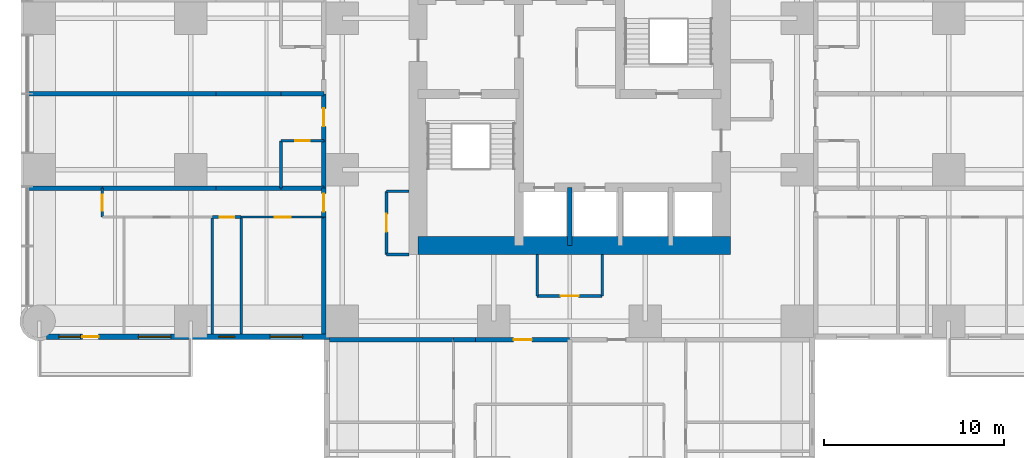
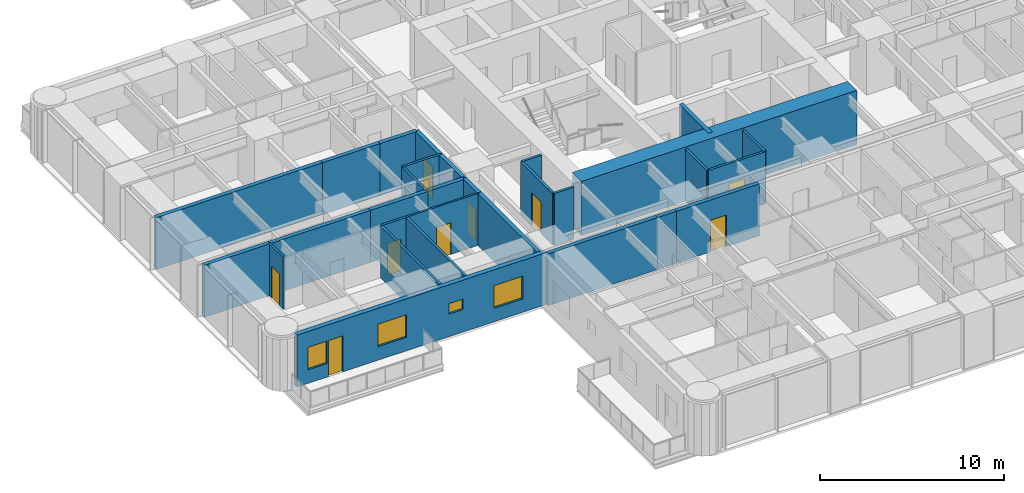
# One storey, part 8 of 17: 30 walls, 10 doors, 4 windows, 14 openings.
"""IFC4 building model written with IfcOpenShell, lengths in metres."""

from ifc_helpers import new_model, si_unit, direction, frame, frame_2d, origin, place, context, subcontext, project, spatial, rectangle, extrude, material, layer, layer_set, type_object, element, fill, save


model = new_model("IFC4")

# Units and contexts
model_context = context("Model", 3, precision=1e-05, world=origin(), true_north=direction((0.0, 1.0)))
body_context = subcontext(model_context, "Body", "Model", "MODEL_VIEW")
ifc_project = project(units=[si_unit("LENGTHUNIT", "METRE"), si_unit("AREAUNIT", "SQUARE_METRE"), si_unit("VOLUMEUNIT", "CUBIC_METRE"), si_unit("PLANEANGLEUNIT", "RADIAN"), si_unit("MASSUNIT", "GRAM", prefix="KILO")], contexts=[model_context])

# Site, building, storey
site_placement = place(None, origin())
site = spatial("IfcSite", under=ifc_project, at=site_placement, CompositionType="ELEMENT")
building_placement = place(site_placement, origin())
building = spatial("IfcBuilding", under=site, at=building_placement, Name="Torre Alcanfor", CompositionType="ELEMENT")
storey_placement = place(building_placement, frame((0.0, 0.0, 84.89990234375)))
storey = spatial("IfcBuildingStorey", under=building, at=storey_placement, Name="L21", CompositionType="ELEMENT", Elevation=84.89990234375)

# Wall, opening, door
ifc_material_1 = material(Name="Concrete block masonry, hollow blocks NMX-C-404 9 MPa", Category="masonry")
ifc_layer_1 = layer(ifc_material_1, 0.25)
ifc_layer_set_1 = layer_set([ifc_layer_1], Name="Apartment entrance wall 250 EI 60")
wall_type_1 = type_object("IfcWallType", Name="Apartment entrance wall 250 EI 60", PredefinedType="PARTITIONING", material=ifc_layer_set_1)
wall_1_placement = place(storey_placement, frame((29.39990234375, 15.77490234375, 0.0), z_axis=(0.0, 0.0, 1.0), x_axis=(-1.0, 0.0, 0.0)))
wall_1 = element("IfcWall", 1, at=wall_1_placement, inside=storey, type_object=wall_type_1, Name="Partition L21-CORR / L21-S2-ZAG", PredefinedType="PARTITIONING", context=body_context, shape_type="SweptSolid", body=[
    extrude(rectangle(XDim=5.22900390625, YDim=0.25, at=frame_2d((2.614501953125, 0.0))), origin(), (0.0, 0.0, 1.0), 3.4501953125),
])
opening_1_placement = place(wall_1_placement, frame((2.10009765625, 0.0, 0.0)))
opening_1 = element("IfcOpeningElement", 2, at=opening_1_placement, cuts=wall_1, Name="Opening D-A1", PredefinedType="OPENING", context=body_context, shape_type="SweptSolid", body=[
    extrude(rectangle(XDim=1.0, YDim=2.10009765625, at=frame_2d((0.5, 1.050048828125))), frame((0.0, 0.135009765625, 0.0), z_axis=(0.0, -1.0, 0.0), x_axis=(1.0, 0.0, 0.0)), (0.0, 0.0, 1.0), 0.27001953125),
])
ifc_material_2 = material(Name="Galvanised steel sheet ASTM A653", Category="steel")
door_type_1 = type_object("IfcDoorType", Name="Apartment entrance door FD60 1000x2100", OperationType="SINGLE_SWING_LEFT", PredefinedType="DOOR", material=ifc_material_2)
door_1_placement = place(opening_1_placement, origin())
door_1 = element("IfcDoor", 3, at=door_1_placement, inside=storey, type_object=door_type_1, Name="Apartment entrance L21-S2", OperationType="SINGLE_SWING_LEFT", OverallHeight=2.10009765625, OverallWidth=1.0, PredefinedType="DOOR", context=body_context, shape_type="SweptSolid", body=[
    extrude(rectangle(XDim=1.0, YDim=2.10009765625, at=frame_2d((0.5, 1.050048828125))), frame((0.0, 0.02490234375, 0.0), z_axis=(0.0, -1.0, 0.0), x_axis=(1.0, 0.0, 0.0)), (0.0, 0.0, 1.0), 0.050048828125),
])
fill(opening_1, door_1)

# Walls
wall_2_placement = place(storey_placement, frame((24.1708984375, 15.77490234375, 0.0), z_axis=(0.0, 0.0, 1.0), x_axis=(-1.0, 0.0, 0.0)))
element("IfcWall", 4, at=wall_2_placement, inside=storey, type_object=wall_type_1, Name="Partition L21-CORR / L21-S2-HALL", PredefinedType="PARTITIONING", context=body_context, shape_type="SweptSolid", body=[
    extrude(rectangle(XDim=1.199951171875, YDim=0.25, at=frame_2d((0.60009765625, 0.0))), origin(), (0.0, 0.0, 1.0), 3.4501953125),
])
wall_3_placement = place(storey_placement, frame((22.970947265625, 15.77490234375, 0.0), z_axis=(0.0, 0.0, 1.0), x_axis=(-1.0, 0.0, 0.0)))
element("IfcWall", 5, at=wall_3_placement, inside=storey, type_object=wall_type_1, Name="Partition L21-CORR / L21-S2-BED2", PredefinedType="PARTITIONING", context=body_context, shape_type="SweptSolid", body=[
    extrude(rectangle(XDim=6.870849609375, YDim=0.25, at=frame_2d((3.435546875, 0.0))), origin(), (0.0, 0.0, 1.0), 3.4501953125),
])

# Wall, opening, door
wall_4_placement = place(storey_placement, frame((15.77490234375, 26.800048828125, 0.0), z_axis=(0.0, 0.0, 1.0), x_axis=(0.0, 1.0, 0.0)))
wall_4 = element("IfcWall", 6, at=wall_4_placement, inside=storey, type_object=wall_type_1, Name="Partition L21-CORR / L21-W1A-FOYER", PredefinedType="PARTITIONING", context=body_context, shape_type="SweptSolid", body=[
    extrude(rectangle(XDim=2.599853515625, YDim=0.25, at=frame_2d((1.2998046875, 0.0))), origin(), (0.0, 0.0, 1.0), 3.4501953125),
])
opening_2_placement = place(wall_4_placement, frame((0.800048828125, 0.0, 0.0)))
opening_2 = element("IfcOpeningElement", 7, at=opening_2_placement, cuts=wall_4, Name="Opening D-A1", PredefinedType="OPENING", context=body_context, shape_type="SweptSolid", body=[
    extrude(rectangle(XDim=1.0, YDim=2.10009765625, at=frame_2d((0.5, 1.050048828125))), frame((0.0, 0.135009765625, 0.0), z_axis=(0.0, -1.0, 0.0), x_axis=(1.0, 0.0, 0.0)), (0.0, 0.0, 1.0), 0.27001953125),
])
door_2_placement = place(opening_2_placement, origin())
door_2 = element("IfcDoor", 8, at=door_2_placement, inside=storey, type_object=door_type_1, Name="Apartment entrance L21-W1A", OperationType="SINGLE_SWING_LEFT", OverallHeight=2.10009765625, OverallWidth=1.0, PredefinedType="DOOR", context=body_context, shape_type="SweptSolid", body=[
    extrude(rectangle(XDim=1.0, YDim=2.10009765625, at=frame_2d((0.5, 1.050048828125))), frame((0.0, 0.02490234375, 0.0), z_axis=(0.0, -1.0, 0.0), x_axis=(1.0, 0.0, 0.0)), (0.0, 0.0, 1.0), 0.050048828125),
])
fill(opening_2, door_2)

# Wall
wall_5_placement = place(storey_placement, frame((15.77490234375, 24.1708984375, 0.0), z_axis=(0.0, 0.0, 1.0), x_axis=(0.0, 1.0, 0.0)))
element("IfcWall", 9, at=wall_5_placement, inside=storey, type_object=wall_type_1, Name="Partition L21-CORR / L21-W1A-BATH", PredefinedType="PARTITIONING", context=body_context, shape_type="SweptSolid", body=[
    extrude(rectangle(XDim=2.629150390625, YDim=0.25, at=frame_2d((1.314453125, 0.0))), origin(), (0.0, 0.0, 1.0), 3.4501953125),
])

# Wall, opening, door
wall_6_placement = place(storey_placement, frame((15.77490234375, 22.571044921875, 0.0), z_axis=(0.0, 0.0, 1.0), x_axis=(0.0, 1.0, 0.0)))
wall_6 = element("IfcWall", 10, at=wall_6_placement, inside=storey, type_object=wall_type_1, Name="Partition L21-CORR / L21-W1B-HALL", PredefinedType="PARTITIONING", context=body_context, shape_type="SweptSolid", body=[
    extrude(rectangle(XDim=1.599853515625, YDim=0.25, at=frame_2d((0.7998046875, 0.0))), origin(), (0.0, 0.0, 1.0), 3.4501953125),
])
opening_3_placement = place(wall_6_placement, frame((0.300048828125, 0.0, 0.0)))
opening_3 = element("IfcOpeningElement", 11, at=opening_3_placement, cuts=wall_6, Name="Opening D-A1", PredefinedType="OPENING", context=body_context, shape_type="SweptSolid", body=[
    extrude(rectangle(XDim=1.0, YDim=2.10009765625, at=frame_2d((0.5, 1.050048828125))), frame((0.0, 0.135009765625, 0.0), z_axis=(0.0, -1.0, 0.0), x_axis=(1.0, 0.0, 0.0)), (0.0, 0.0, 1.0), 0.27001953125),
])
door_3_placement = place(opening_3_placement, origin())
door_3 = element("IfcDoor", 12, at=door_3_placement, inside=storey, type_object=door_type_1, Name="Apartment entrance L21-W1B", OperationType="SINGLE_SWING_LEFT", OverallHeight=2.10009765625, OverallWidth=1.0, PredefinedType="DOOR", context=body_context, shape_type="SweptSolid", body=[
    extrude(rectangle(XDim=1.0, YDim=2.10009765625, at=frame_2d((0.5, 1.050048828125))), frame((0.0, 0.02490234375, 0.0), z_axis=(0.0, -1.0, 0.0), x_axis=(1.0, 0.0, 0.0)), (0.0, 0.0, 1.0), 0.050048828125),
])
fill(opening_3, door_3)

# Wall
wall_7_placement = place(storey_placement, frame((15.77490234375, 16.10009765625, 0.0), z_axis=(0.0, 0.0, 1.0), x_axis=(0.0, 1.0, 0.0)))
element("IfcWall", 13, at=wall_7_placement, inside=storey, type_object=wall_type_1, Name="Partition L21-CORR / L21-W1B-BED2", PredefinedType="PARTITIONING", context=body_context, shape_type="SweptSolid", body=[
    extrude(rectangle(XDim=6.470947265625, YDim=0.25, at=frame_2d((3.2353515625, 0.0))), origin(), (0.0, 0.0, 1.0), 3.4501953125),
])

# Wall, opening, door
ifc_material_3 = material(Name="Gypsum board on steel studs", Category="steel")
ifc_layer_2 = layer(ifc_material_3, 0.1201171875)
ifc_layer_set_2 = layer_set([ifc_layer_2], Name="Apartment partition 120")
wall_type_2 = type_object("IfcWallType", Name="Apartment partition 120", PredefinedType="PARTITIONING", material=ifc_layer_set_2)
wall_8_placement = place(storey_placement, frame((11.199951171875, 22.571044921875, 0.0), z_axis=(0.0, 0.0, 1.0), x_axis=(1.0, 0.0, 0.0)))
wall_8 = element("IfcWall", 14, at=wall_8_placement, inside=storey, type_object=wall_type_2, Name="Partition L21-W1B-HALL / L21-W1B-BED2", PredefinedType="PARTITIONING", context=body_context, shape_type="SweptSolid", body=[
    extrude(rectangle(XDim=4.574951171875, YDim=0.1201171875, at=frame_2d((2.28759765625, 0.0))), origin(), (0.0, 0.0, 1.0), 3.4501953125),
])
opening_4_placement = place(wall_8_placement, frame((1.85009765625, 0.0, 0.0)))
opening_4 = element("IfcOpeningElement", 15, at=opening_4_placement, cuts=wall_8, Name="Opening D-R1", PredefinedType="OPENING", context=body_context, shape_type="SweptSolid", body=[
    extrude(rectangle(XDim=0.89990234375, YDim=2.10009765625, at=frame_2d((0.449951171875, 1.050048828125))), frame((0.0, 0.070068359375, 0.0), z_axis=(0.0, -1.0, 0.0), x_axis=(1.0, 0.0, 0.0)), (0.0, 0.0, 1.0), 0.14013671875),
])
ifc_material_4 = material(Name="Timber", Category="wood")
door_type_2 = type_object("IfcDoorType", Name="Internal door 900x2100", OperationType="SINGLE_SWING_LEFT", PredefinedType="DOOR", material=ifc_material_4)
door_4_placement = place(opening_4_placement, frame((0.89990234375, 0.0, 0.0), z_axis=(0.0, 0.0, 1.0), x_axis=(-1.0, 0.0, 0.0)))
door_4 = element("IfcDoor", 16, at=door_4_placement, inside=storey, type_object=door_type_2, Name="Door L21-W1B bed2", OperationType="SINGLE_SWING_LEFT", OverallHeight=2.10009765625, OverallWidth=0.89990234375, PredefinedType="DOOR", context=body_context, shape_type="SweptSolid", body=[
    extrude(rectangle(XDim=0.89990234375, YDim=2.10009765625, at=frame_2d((0.449951171875, 1.050048828125))), frame((0.0, 0.025146484375, 0.0), z_axis=(0.0, -1.0, 0.0), x_axis=(1.0, 0.0, 0.0)), (0.0, 0.0, 1.0), 0.050048828125),
])
fill(opening_4, door_4)

wall_9_placement = place(storey_placement, frame((3.5, 24.1708984375, 0.0), z_axis=(0.0, 0.0, 1.0), x_axis=(0.0, -1.0, 0.0)))
wall_9 = element("IfcWall", 17, at=wall_9_placement, inside=storey, type_object=wall_type_2, Name="Partition L21-W1B-HALL / L21-W1B-LIVING", PredefinedType="PARTITIONING", context=body_context, shape_type="SweptSolid", body=[
    extrude(rectangle(XDim=1.599853515625, YDim=0.1201171875, at=frame_2d((0.7998046875, 0.0))), origin(), (0.0, 0.0, 1.0), 3.4501953125),
])
opening_5_placement = place(wall_9_placement, frame((0.35009765625, 0.0, 0.0)))
opening_5 = element("IfcOpeningElement", 18, at=opening_5_placement, cuts=wall_9, Name="Opening D-R1", PredefinedType="OPENING", context=body_context, shape_type="SweptSolid", body=[
    extrude(rectangle(XDim=0.89990234375, YDim=2.10009765625, at=frame_2d((0.449951171875, 1.050048828125))), frame((0.0, 0.070068359375, 0.0), z_axis=(0.0, -1.0, 0.0), x_axis=(1.0, 0.0, 0.0)), (0.0, 0.0, 1.0), 0.14013671875),
])
door_5_placement = place(opening_5_placement, frame((0.89990234375, 0.0, 0.0), z_axis=(0.0, 0.0, 1.0), x_axis=(-1.0, 0.0, 0.0)))
door_5 = element("IfcDoor", 19, at=door_5_placement, inside=storey, type_object=door_type_2, Name="Door L21-W1B living", OperationType="SINGLE_SWING_RIGHT", OverallHeight=2.10009765625, OverallWidth=0.89990234375, PredefinedType="DOOR", context=body_context, shape_type="SweptSolid", body=[
    extrude(rectangle(XDim=0.89990234375, YDim=2.10009765625, at=frame_2d((0.449951171875, 1.050048828125))), frame((0.0, 0.025146484375, 0.0), z_axis=(0.0, -1.0, 0.0), x_axis=(1.0, 0.0, 0.0)), (0.0, 0.0, 1.0), 0.050048828125),
])
fill(opening_5, door_5)

# Walls
ifc_material_5 = material(Name="Concrete f'c 70 MPa", Category="concrete")
ifc_layer_3 = layer(ifc_material_5, 0.25)
ifc_layer_set_3 = layer_set([ifc_layer_3], Name="Core shaft wall 250 f'c70")
wall_type_3 = type_object("IfcWallType", Name="Core shaft wall 250 f'c70", PredefinedType="SHEAR", material=ifc_layer_set_3)
wall_10_placement = place(storey_placement, frame((29.39990234375, 21.0, 0.0), z_axis=(0.0, 0.0, 1.0), x_axis=(0.0, 1.0, 0.0)))
element("IfcWall", 20, at=wall_10_placement, inside=storey, type_object=wall_type_3, Name="Core wall X294S L21", PredefinedType="SHEAR", context=body_context, shape_type="SweptSolid", body=[
    extrude(rectangle(XDim=3.199951171875, YDim=0.25, at=frame_2d((1.60009765625, 0.0))), origin(), (0.0, 0.0, 1.0), 3.60009765625),
])
ifc_material_6 = material(Name="Concrete f'c 70 MPa", Category="concrete")
ifc_layer_4 = layer(ifc_material_6, 1.0)
ifc_layer_set_4 = layer_set([ifc_layer_4], Name="Core wall 1000 f'c70")
wall_type_4 = type_object("IfcWallType", Name="Core wall 1000 f'c70", PredefinedType="SHEAR", material=ifc_layer_set_4)
wall_11_placement = place(storey_placement, frame((21.0, 21.0, 0.0), z_axis=(0.0, 0.0, 1.0), x_axis=(1.0, 0.0, 0.0)))
element("IfcWall", 21, at=wall_11_placement, inside=storey, type_object=wall_type_4, Name="Core wall OUT-S L21", PredefinedType="SHEAR", context=body_context, shape_type="SweptSolid", body=[
    extrude(rectangle(XDim=17.300048828125, YDim=1.0, at=frame_2d((8.64990234375, 0.0))), origin(), (0.0, 0.0, 1.0), 3.60009765625),
])

# Wall, openings, door, windows
ifc_material_7 = material(Name="Limestone cladding", Category="masonry")
ifc_layer_5 = layer(ifc_material_7, 0.0400390625, Name="Facing")
ifc_material_8 = material(Name="Ventilated air cavity")
ifc_layer_6 = layer(ifc_material_8, 0.02001953125, ventilated=True, Name="Ventilated joint")
ifc_material_9 = material(Name="Mineral wool insulation", Category="insulation")
ifc_layer_7 = layer(ifc_material_9, 0.10009765625, Name="Insulation")
ifc_material_10 = material(Name="Concrete f'c 35 MPa", Category="concrete")
ifc_layer_8 = layer(ifc_material_10, 0.139892578125, Name="Backing")
ifc_layer_set_5 = layer_set([ifc_layer_5, ifc_layer_6, ifc_layer_7, ifc_layer_8], Name="External wall stone-clad 300")
wall_type_5 = type_object("IfcWallType", Name="External wall stone-clad 300", PredefinedType="SOLIDWALL", material=ifc_layer_set_5)
wall_12_placement = place(storey_placement, frame((0.39990234375, 15.949951171875, 0.0), z_axis=(0.0, 0.0, 1.0), x_axis=(1.0, 0.0, 0.0)))
wall_12 = element("IfcWall", 22, at=wall_12_placement, inside=storey, type_object=wall_type_5, Name="External wall L21 3", PredefinedType="SOLIDWALL", context=body_context, shape_type="SweptSolid", body=[
    extrude(rectangle(XDim=15.7001953125, YDim=0.300048828125, at=frame_2d((7.85009765625, 0.0))), origin(), (0.0, 0.0, 1.0), 3.4501953125),
])
opening_6_placement = place(wall_12_placement, frame((12.39990234375, 0.0, 0.89990234375)))
opening_6 = element("IfcOpeningElement", 23, at=opening_6_placement, cuts=wall_12, Name="Opening W2", PredefinedType="OPENING", context=body_context, shape_type="SweptSolid", body=[
    extrude(rectangle(XDim=1.800048828125, YDim=1.5, at=frame_2d((0.89990234375, 0.75))), frame((0.0, 0.159912109375, 0.0), z_axis=(0.0, -1.0, 0.0), x_axis=(1.0, 0.0, 0.0)), (0.0, 0.0, 1.0), 0.320068359375),
])
opening_7_placement = place(wall_12_placement, frame((9.550048828125, 0.0, 1.5)))
opening_7 = element("IfcOpeningElement", 24, at=opening_7_placement, cuts=wall_12, Name="Opening W3", PredefinedType="OPENING", context=body_context, shape_type="SweptSolid", body=[
    extrude(rectangle(XDim=0.89990234375, YDim=0.699951171875, at=frame_2d((0.449951171875, 0.35009765625))), frame((0.0, 0.159912109375, 0.0), z_axis=(0.0, -1.0, 0.0), x_axis=(1.0, 0.0, 0.0)), (0.0, 0.0, 1.0), 0.320068359375),
])
opening_8_placement = place(wall_12_placement, frame((5.10009765625, 0.0, 0.89990234375)))
opening_8 = element("IfcOpeningElement", 25, at=opening_8_placement, cuts=wall_12, Name="Opening W2", PredefinedType="OPENING", context=body_context, shape_type="SweptSolid", body=[
    extrude(rectangle(XDim=1.800048828125, YDim=1.5, at=frame_2d((0.89990234375, 0.75))), frame((0.0, 0.159912109375, 0.0), z_axis=(0.0, -1.0, 0.0), x_axis=(1.0, 0.0, 0.0)), (0.0, 0.0, 1.0), 0.320068359375),
])
opening_9_placement = place(wall_12_placement, frame((2.0, 0.0, 0.0)))
opening_9 = element("IfcOpeningElement", 26, at=opening_9_placement, cuts=wall_12, Name="Opening D-B1", PredefinedType="OPENING", context=body_context, shape_type="SweptSolid", body=[
    extrude(rectangle(XDim=0.89990234375, YDim=2.39990234375, at=frame_2d((0.449951171875, 1.199951171875))), frame((0.0, 0.159912109375, 0.0), z_axis=(0.0, -1.0, 0.0), x_axis=(1.0, 0.0, 0.0)), (0.0, 0.0, 1.0), 0.320068359375),
])
opening_10_placement = place(wall_12_placement, frame((0.699951171875, 0.0, 0.89990234375)))
opening_10 = element("IfcOpeningElement", 27, at=opening_10_placement, cuts=wall_12, Name="Opening W4", PredefinedType="OPENING", context=body_context, shape_type="SweptSolid", body=[
    extrude(rectangle(XDim=1.199951171875, YDim=1.5, at=frame_2d((0.60009765625, 0.75))), frame((0.0, 0.159912109375, 0.0), z_axis=(0.0, -1.0, 0.0), x_axis=(1.0, 0.0, 0.0)), (0.0, 0.0, 1.0), 0.320068359375),
])
ifc_material_11 = material(Name="Aluminium and glass", Category="aluminium")
door_type_3 = type_object("IfcDoorType", Name="Balcony door glazed 900x2400", OperationType="SINGLE_SWING_LEFT", PredefinedType="DOOR", material=ifc_material_11)
door_6_placement = place(opening_9_placement, origin())
door_6 = element("IfcDoor", 28, at=door_6_placement, inside=storey, type_object=door_type_3, Name="Balcony door L21-W1", OperationType="SINGLE_SWING_RIGHT", OverallHeight=2.39990234375, OverallWidth=0.89990234375, PredefinedType="DOOR", context=body_context, shape_type="SweptSolid", body=[
    extrude(rectangle(XDim=0.89990234375, YDim=2.39990234375, at=frame_2d((0.449951171875, 1.199951171875))), frame((0.0, 0.02490234375, 0.0), z_axis=(0.0, -1.0, 0.0), x_axis=(1.0, 0.0, 0.0)), (0.0, 0.0, 1.0), 0.050048828125),
])
fill(opening_9, door_6)
ifc_material_12 = material(Name="Aluminium frame with clear double glazing", Category="aluminium")
window_type_1 = type_object("IfcWindowType", Name="Window bathroom 900x700", PartitioningType="SINGLE_PANEL", PredefinedType="WINDOW", material=ifc_material_12)
window_1_placement = place(opening_7_placement, origin())
window_1 = element("IfcWindow", 29, at=window_1_placement, inside=storey, type_object=window_type_1, Name="Window W3 L21-W1", OverallHeight=0.699951171875, OverallWidth=0.89990234375, PartitioningType="SINGLE_PANEL", PredefinedType="WINDOW", context=body_context, shape_type="SweptSolid", body=[
    extrude(rectangle(XDim=0.89990234375, YDim=0.699951171875, at=frame_2d((0.449951171875, 0.35009765625))), frame((0.0, 0.030029296875, 0.0), z_axis=(0.0, -1.0, 0.0), x_axis=(1.0, 0.0, 0.0)), (0.0, 0.0, 1.0), 0.06005859375),
])
fill(opening_7, window_1)
ifc_material_13 = material(Name="Aluminium frame with clear double glazing", Category="aluminium")
window_type_2 = type_object("IfcWindowType", Name="Window bedroom 1200x1500", PartitioningType="SINGLE_PANEL", PredefinedType="WINDOW", material=ifc_material_13)
window_2_placement = place(opening_10_placement, origin())
window_2 = element("IfcWindow", 30, at=window_2_placement, inside=storey, type_object=window_type_2, Name="Window W4 L21-W1", OverallHeight=1.5, OverallWidth=1.199951171875, PartitioningType="SINGLE_PANEL", PredefinedType="WINDOW", context=body_context, shape_type="SweptSolid", body=[
    extrude(rectangle(XDim=1.199951171875, YDim=1.5, at=frame_2d((0.60009765625, 0.75))), frame((0.0, 0.030029296875, 0.0), z_axis=(0.0, -1.0, 0.0), x_axis=(1.0, 0.0, 0.0)), (0.0, 0.0, 1.0), 0.06005859375),
])
fill(opening_10, window_2)
ifc_material_14 = material(Name="Aluminium frame with clear double glazing", Category="aluminium")
window_type_3 = type_object("IfcWindowType", Name="Window bedroom 1800x1500", PartitioningType="SINGLE_PANEL", PredefinedType="WINDOW", material=ifc_material_14)
window_3_placement = place(opening_6_placement, origin())
window_3 = element("IfcWindow", 31, at=window_3_placement, inside=storey, type_object=window_type_3, Name="Window W2 L21-W1", OverallHeight=1.5, OverallWidth=1.800048828125, PartitioningType="SINGLE_PANEL", PredefinedType="WINDOW", context=body_context, shape_type="SweptSolid", body=[
    extrude(rectangle(XDim=1.800048828125, YDim=1.5, at=frame_2d((0.89990234375, 0.75))), frame((0.0, 0.030029296875, 0.0), z_axis=(0.0, -1.0, 0.0), x_axis=(1.0, 0.0, 0.0)), (0.0, 0.0, 1.0), 0.06005859375),
])
fill(opening_6, window_3)
window_4_placement = place(opening_8_placement, origin())
window_4 = element("IfcWindow", 32, at=window_4_placement, inside=storey, type_object=window_type_3, Name="Window W2 L21-W1", OverallHeight=1.5, OverallWidth=1.800048828125, PartitioningType="SINGLE_PANEL", PredefinedType="WINDOW", context=body_context, shape_type="SweptSolid", body=[
    extrude(rectangle(XDim=1.800048828125, YDim=1.5, at=frame_2d((0.89990234375, 0.75))), frame((0.0, 0.030029296875, 0.0), z_axis=(0.0, -1.0, 0.0), x_axis=(1.0, 0.0, 0.0)), (0.0, 0.0, 1.0), 0.06005859375),
])
fill(opening_8, window_4)

# Walls
ifc_material_15 = material(Name="Concrete block masonry, hollow blocks NMX-C-404 9 MPa", Category="masonry")
ifc_layer_9 = layer(ifc_material_15, 0.25)
ifc_layer_set_6 = layer_set([ifc_layer_9], Name="Party wall 250 EI 60")
wall_type_6 = type_object("IfcWallType", Name="Party wall 250 EI 60", PredefinedType="PARTITIONING", material=ifc_layer_set_6)
for number, where, z_axis, x_axis, name in (
    (33, (15.77490234375, 29.39990234375, 0.0), (0.0, 0.0, 1.0), (-1.0, 0.0, 0.0), "Partition L21-W1A-FOYER / L21-W2A-FOYER"),
    (34, (13.39990234375, 24.1708984375, 0.0), (0.0, 0.0, 1.0), (1.0, 0.0, 0.0), "Partition L21-W1A-BATH / L21-W1B-HALL"),
):
    element("IfcWall", number, at=place(storey_placement, frame(where, z_axis=z_axis, x_axis=x_axis)), inside=storey, type_object=wall_type_6, Name=name, PredefinedType="PARTITIONING", context=body_context, shape_type="SweptSolid", body=[
        extrude(rectangle(XDim=2.375, YDim=0.25, at=frame_2d((1.1875, 0.0))), origin(), (0.0, 0.0, 1.0), 3.4501953125),
    ])
for number, where, z_axis, x_axis, name in (
    (35, (9.800048828125, 24.1708984375, 0.0), (0.0, 0.0, 1.0), (1.0, 0.0, 0.0), "Partition L21-W1A-KITCHEN / L21-W1B-HALL"),
    (36, (13.39990234375, 29.39990234375, 0.0), (0.0, 0.0, 1.0), (-1.0, 0.0, 0.0), "Partition L21-W1A-KITCHEN / L21-W2A-KITCHEN"),
):
    element("IfcWall", number, at=place(storey_placement, frame(where, z_axis=z_axis, x_axis=x_axis)), inside=storey, type_object=wall_type_6, Name=name, PredefinedType="PARTITIONING", context=body_context, shape_type="SweptSolid", body=[
        extrude(rectangle(XDim=3.599853515625, YDim=0.25, at=frame_2d((1.7998046875, 0.0))), origin(), (0.0, 0.0, 1.0), 3.4501953125),
    ])
wall_13_placement = place(storey_placement, frame((3.5, 24.1708984375, 0.0), z_axis=(0.0, 0.0, 1.0), x_axis=(1.0, 0.0, 0.0)))
element("IfcWall", 37, at=wall_13_placement, inside=storey, type_object=wall_type_6, Name="Partition L21-W1A-STUDIO / L21-W1B-HALL", PredefinedType="PARTITIONING", context=body_context, shape_type="SweptSolid", body=[
    extrude(rectangle(XDim=6.300048828125, YDim=0.25, at=frame_2d((3.14990234375, 0.0))), origin(), (0.0, 0.0, 1.0), 3.4501953125),
])
wall_14_placement = place(storey_placement, frame((-0.64990234375, 24.1708984375, 0.0), z_axis=(0.0, 0.0, 1.0), x_axis=(1.0, 0.0, 0.0)))
element("IfcWall", 38, at=wall_14_placement, inside=storey, type_object=wall_type_6, Name="Partition L21-W1A-STUDIO / L21-W1B-LIVING", PredefinedType="PARTITIONING", context=body_context, shape_type="SweptSolid", body=[
    extrude(rectangle(XDim=4.14990234375, YDim=0.25, at=frame_2d((2.074951171875, 0.0))), origin(), (0.0, 0.0, 1.0), 3.4501953125),
])
wall_15_placement = place(storey_placement, frame((9.800048828125, 29.39990234375, 0.0), z_axis=(0.0, 0.0, 1.0), x_axis=(-1.0, 0.0, 0.0)))
element("IfcWall", 39, at=wall_15_placement, inside=storey, type_object=wall_type_6, Name="Partition L21-W1A-STUDIO / L21-W2A-STUDIO", PredefinedType="PARTITIONING", context=body_context, shape_type="SweptSolid", body=[
    extrude(rectangle(XDim=10.449951171875, YDim=0.25, at=frame_2d((5.22509765625, 0.0))), origin(), (0.0, 0.0, 1.0), 3.4501953125),
])
ifc_material_16 = material(Name="Concrete block masonry, hollow blocks NMX-C-404 9 MPa", Category="masonry")
ifc_layer_10 = layer(ifc_material_16, 0.14990234375)
ifc_layer_set_7 = layer_set([ifc_layer_10], Name="Residents' room partition 150")
wall_type_7 = type_object("IfcWallType", Name="Residents' room partition 150", PredefinedType="PARTITIONING", material=ifc_layer_set_7)
wall_16_placement = place(storey_placement, frame((27.60009765625, 20.5, 0.0), z_axis=(0.0, 0.0, 1.0), x_axis=(0.0, -1.0, 0.0)))
element("IfcWall", 40, at=wall_16_placement, inside=storey, type_object=wall_type_7, Name="Partition L21-CORR / L21-G03", PredefinedType="PARTITIONING", context=body_context, shape_type="SweptSolid", body=[
    extrude(rectangle(XDim=2.300048828125, YDim=0.14990234375, at=frame_2d((1.14990234375, 0.0))), origin(), (0.0, 0.0, 1.0), 3.4501953125),
])

# Wall, opening, door
wall_17_placement = place(storey_placement, frame((27.60009765625, 18.199951171875, 0.0), z_axis=(0.0, 0.0, 1.0), x_axis=(1.0, 0.0, 0.0)))
wall_17 = element("IfcWall", 41, at=wall_17_placement, inside=storey, type_object=wall_type_7, Name="Partition L21-CORR / L21-G03", PredefinedType="PARTITIONING", context=body_context, shape_type="SweptSolid", body=[
    extrude(rectangle(XDim=3.599853515625, YDim=0.14990234375, at=frame_2d((1.7998046875, 0.0))), origin(), (0.0, 0.0, 1.0), 3.4501953125),
])
opening_11_placement = place(wall_17_placement, frame((1.300048828125, 0.0, 0.0)))
opening_11 = element("IfcOpeningElement", 42, at=opening_11_placement, cuts=wall_17, Name="Opening D-M1", PredefinedType="OPENING", context=body_context, shape_type="SweptSolid", body=[
    extrude(rectangle(XDim=1.0, YDim=2.10009765625, at=frame_2d((0.5, 1.050048828125))), frame((0.0, 0.0849609375, 0.0), z_axis=(0.0, -1.0, 0.0), x_axis=(1.0, 0.0, 0.0)), (0.0, 0.0, 1.0), 0.169921875),
])
ifc_material_17 = material(Name="Timber", Category="wood")
door_type_4 = type_object("IfcDoorType", Name="Residents' room door 1000x2100", OperationType="SINGLE_SWING_LEFT", PredefinedType="DOOR", material=ifc_material_17)
door_7_placement = place(opening_11_placement, origin())
door_7 = element("IfcDoor", 43, at=door_7_placement, inside=storey, type_object=door_type_4, Name="Door L21-G03 cleaners' store", OperationType="SINGLE_SWING_LEFT", OverallHeight=2.10009765625, OverallWidth=1.0, PredefinedType="DOOR", context=body_context, shape_type="SweptSolid", body=[
    extrude(rectangle(XDim=1.0, YDim=2.10009765625, at=frame_2d((0.5, 1.050048828125))), frame((0.0, 0.02490234375, 0.0), z_axis=(0.0, -1.0, 0.0), x_axis=(1.0, 0.0, 0.0)), (0.0, 0.0, 1.0), 0.050048828125),
])
fill(opening_11, door_7)

# Walls
wall_18_placement = place(storey_placement, frame((31.199951171875, 18.199951171875, 0.0), z_axis=(0.0, 0.0, 1.0), x_axis=(0.0, 1.0, 0.0)))
element("IfcWall", 44, at=wall_18_placement, inside=storey, type_object=wall_type_7, Name="Partition L21-CORR / L21-G03", PredefinedType="PARTITIONING", context=body_context, shape_type="SweptSolid", body=[
    extrude(rectangle(XDim=2.300048828125, YDim=0.14990234375, at=frame_2d((1.14990234375, 0.0))), origin(), (0.0, 0.0, 1.0), 3.4501953125),
])
wall_19_placement = place(storey_placement, frame((20.5, 24.0, 0.0), z_axis=(0.0, 0.0, 1.0), x_axis=(-1.0, 0.0, 0.0)))
element("IfcWall", 45, at=wall_19_placement, inside=storey, type_object=wall_type_7, Name="Partition L21-CORR / L21-G04", PredefinedType="PARTITIONING", context=body_context, shape_type="SweptSolid", body=[
    extrude(rectangle(XDim=1.25, YDim=0.14990234375, at=frame_2d((0.625, 0.0))), origin(), (0.0, 0.0, 1.0), 3.4501953125),
])

# Wall, opening, door
wall_20_placement = place(storey_placement, frame((19.25, 24.0, 0.0), z_axis=(0.0, 0.0, 1.0), x_axis=(0.0, -1.0, 0.0)))
wall_20 = element("IfcWall", 46, at=wall_20_placement, inside=storey, type_object=wall_type_7, Name="Partition L21-CORR / L21-G04", PredefinedType="PARTITIONING", context=body_context, shape_type="SweptSolid", body=[
    extrude(rectangle(XDim=3.5, YDim=0.14990234375, at=frame_2d((1.75, 0.0))), origin(), (0.0, 0.0, 1.0), 3.4501953125),
])
opening_12_placement = place(wall_20_placement, frame((1.25, 0.0, 0.0)))
opening_12 = element("IfcOpeningElement", 47, at=opening_12_placement, cuts=wall_20, Name="Opening D-M1", PredefinedType="OPENING", context=body_context, shape_type="SweptSolid", body=[
    extrude(rectangle(XDim=1.0, YDim=2.10009765625, at=frame_2d((0.5, 1.050048828125))), frame((0.0, 0.0849609375, 0.0), z_axis=(0.0, -1.0, 0.0), x_axis=(1.0, 0.0, 0.0)), (0.0, 0.0, 1.0), 0.169921875),
])
door_8_placement = place(opening_12_placement, origin())
door_8 = element("IfcDoor", 48, at=door_8_placement, inside=storey, type_object=door_type_4, Name="Door L21-G04 pram and buggy store", OperationType="SINGLE_SWING_LEFT", OverallHeight=2.10009765625, OverallWidth=1.0, PredefinedType="DOOR", context=body_context, shape_type="SweptSolid", body=[
    extrude(rectangle(XDim=1.0, YDim=2.10009765625, at=frame_2d((0.5, 1.050048828125))), frame((0.0, 0.02490234375, 0.0), z_axis=(0.0, -1.0, 0.0), x_axis=(1.0, 0.0, 0.0)), (0.0, 0.0, 1.0), 0.050048828125),
])
fill(opening_12, door_8)

# Wall
wall_21_placement = place(storey_placement, frame((19.25, 20.5, 0.0), z_axis=(0.0, 0.0, 1.0), x_axis=(1.0, 0.0, 0.0)))
element("IfcWall", 49, at=wall_21_placement, inside=storey, type_object=wall_type_7, Name="Partition L21-CORR / L21-G04", PredefinedType="PARTITIONING", context=body_context, shape_type="SweptSolid", body=[
    extrude(rectangle(XDim=1.25, YDim=0.14990234375, at=frame_2d((0.625, 0.0))), origin(), (0.0, 0.0, 1.0), 3.4501953125),
])

# Wall, opening, door
ifc_material_18 = material(Name="Cement board on steel studs", Category="steel")
ifc_layer_11 = layer(ifc_material_18, 0.14990234375)
ifc_layer_set_8 = layer_set([ifc_layer_11], Name="Wet area partition 150")
wall_type_8 = type_object("IfcWallType", Name="Wet area partition 150", PredefinedType="PARTITIONING", material=ifc_layer_set_8)
wall_22_placement = place(storey_placement, frame((13.39990234375, 26.800048828125, 0.0), z_axis=(0.0, 0.0, 1.0), x_axis=(1.0, 0.0, 0.0)))
wall_22 = element("IfcWall", 50, at=wall_22_placement, inside=storey, type_object=wall_type_8, Name="Partition L21-W1A-FOYER / L21-W1A-BATH", PredefinedType="PARTITIONING", context=body_context, shape_type="SweptSolid", body=[
    extrude(rectangle(XDim=2.375, YDim=0.14990234375, at=frame_2d((1.1875, 0.0))), origin(), (0.0, 0.0, 1.0), 3.4501953125),
])
opening_13_placement = place(wall_22_placement, frame((0.800048828125, 0.0, 0.0)))
opening_13 = element("IfcOpeningElement", 51, at=opening_13_placement, cuts=wall_22, Name="Opening D-R2", PredefinedType="OPENING", context=body_context, shape_type="SweptSolid", body=[
    extrude(rectangle(XDim=0.800048828125, YDim=2.10009765625, at=frame_2d((0.39990234375, 1.050048828125))), frame((0.0, 0.0849609375, 0.0), z_axis=(0.0, -1.0, 0.0), x_axis=(1.0, 0.0, 0.0)), (0.0, 0.0, 1.0), 0.169921875),
])
ifc_material_19 = material(Name="Timber", Category="wood")
door_type_5 = type_object("IfcDoorType", Name="Bathroom door 800x2100", OperationType="SINGLE_SWING_LEFT", PredefinedType="DOOR", material=ifc_material_19)
door_9_placement = place(opening_13_placement, frame((0.800048828125, 0.0, 0.0), z_axis=(0.0, 0.0, 1.0), x_axis=(-1.0, 0.0, 0.0)))
door_9 = element("IfcDoor", 52, at=door_9_placement, inside=storey, type_object=door_type_5, Name="Door L21-W1A bath", OperationType="SINGLE_SWING_LEFT", OverallHeight=2.10009765625, OverallWidth=0.800048828125, PredefinedType="DOOR", context=body_context, shape_type="SweptSolid", body=[
    extrude(rectangle(XDim=0.800048828125, YDim=2.10009765625, at=frame_2d((0.400146484375, 1.050048828125))), frame((0.0, 0.025146484375, 0.0), z_axis=(0.0, -1.0, 0.0), x_axis=(1.0, 0.0, 0.0)), (0.0, 0.0, 1.0), 0.050048828125),
])
fill(opening_13, door_9)

# Wall
wall_23_placement = place(storey_placement, frame((13.39990234375, 26.800048828125, 0.0), z_axis=(0.0, 0.0, 1.0), x_axis=(0.0, -1.0, 0.0)))
element("IfcWall", 53, at=wall_23_placement, inside=storey, type_object=wall_type_8, Name="Partition L21-W1A-BATH / L21-W1A-KITCHEN", PredefinedType="PARTITIONING", context=body_context, shape_type="SweptSolid", body=[
    extrude(rectangle(XDim=2.629150390625, YDim=0.14990234375, at=frame_2d((1.314453125, 0.0))), origin(), (0.0, 0.0, 1.0), 3.4501953125),
])

# Wall, opening, door
wall_24_placement = place(storey_placement, frame((9.60009765625, 22.571044921875, 0.0), z_axis=(0.0, 0.0, 1.0), x_axis=(1.0, 0.0, 0.0)))
wall_24 = element("IfcWall", 54, at=wall_24_placement, inside=storey, type_object=wall_type_8, Name="Partition L21-W1B-HALL / L21-W1B-BATH", PredefinedType="PARTITIONING", context=body_context, shape_type="SweptSolid", body=[
    extrude(rectangle(XDim=1.599853515625, YDim=0.14990234375, at=frame_2d((0.7998046875, 0.0))), origin(), (0.0, 0.0, 1.0), 3.4501953125),
])
opening_14_placement = place(wall_24_placement, frame((0.39990234375, 0.0, 0.0)))
opening_14 = element("IfcOpeningElement", 55, at=opening_14_placement, cuts=wall_24, Name="Opening D-R2", PredefinedType="OPENING", context=body_context, shape_type="SweptSolid", body=[
    extrude(rectangle(XDim=0.800048828125, YDim=2.10009765625, at=frame_2d((0.39990234375, 1.050048828125))), frame((0.0, 0.0849609375, 0.0), z_axis=(0.0, -1.0, 0.0), x_axis=(1.0, 0.0, 0.0)), (0.0, 0.0, 1.0), 0.169921875),
])
door_10_placement = place(opening_14_placement, frame((0.800048828125, 0.0, 0.0), z_axis=(0.0, 0.0, 1.0), x_axis=(-1.0, 0.0, 0.0)))
door_10 = element("IfcDoor", 56, at=door_10_placement, inside=storey, type_object=door_type_5, Name="Door L21-W1B bath", OperationType="SINGLE_SWING_RIGHT", OverallHeight=2.10009765625, OverallWidth=0.800048828125, PredefinedType="DOOR", context=body_context, shape_type="SweptSolid", body=[
    extrude(rectangle(XDim=0.800048828125, YDim=2.10009765625, at=frame_2d((0.400146484375, 1.050048828125))), frame((0.0, 0.025146484375, 0.0), z_axis=(0.0, -1.0, 0.0), x_axis=(1.0, 0.0, 0.0)), (0.0, 0.0, 1.0), 0.050048828125),
])
fill(opening_14, door_10)

# Walls
for number, where, z_axis, x_axis, name in (
    (57, (11.199951171875, 22.571044921875, 0.0), (0.0, 0.0, 1.0), (0.0, -1.0, 0.0), "Partition L21-W1B-BED2 / L21-W1B-BATH"),
    (58, (9.60009765625, 22.571044921875, 0.0), (0.0, 0.0, 1.0), (0.0, -1.0, 0.0), "Partition L21-W1B-BATH / L21-W1B-MASTER"),
):
    element("IfcWall", number, at=place(storey_placement, frame(where, z_axis=z_axis, x_axis=x_axis)), inside=storey, type_object=wall_type_8, Name=name, PredefinedType="PARTITIONING", context=body_context, shape_type="SweptSolid", body=[
        extrude(rectangle(XDim=6.470947265625, YDim=0.14990234375, at=frame_2d((3.2353515625, 0.0))), origin(), (0.0, 0.0, 1.0), 3.4501953125),
    ])

save(model, "model.ifc")
